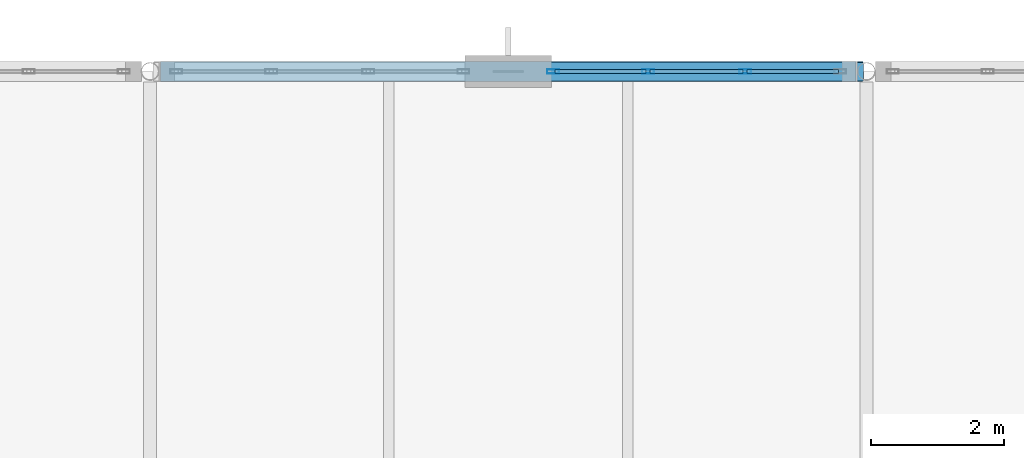
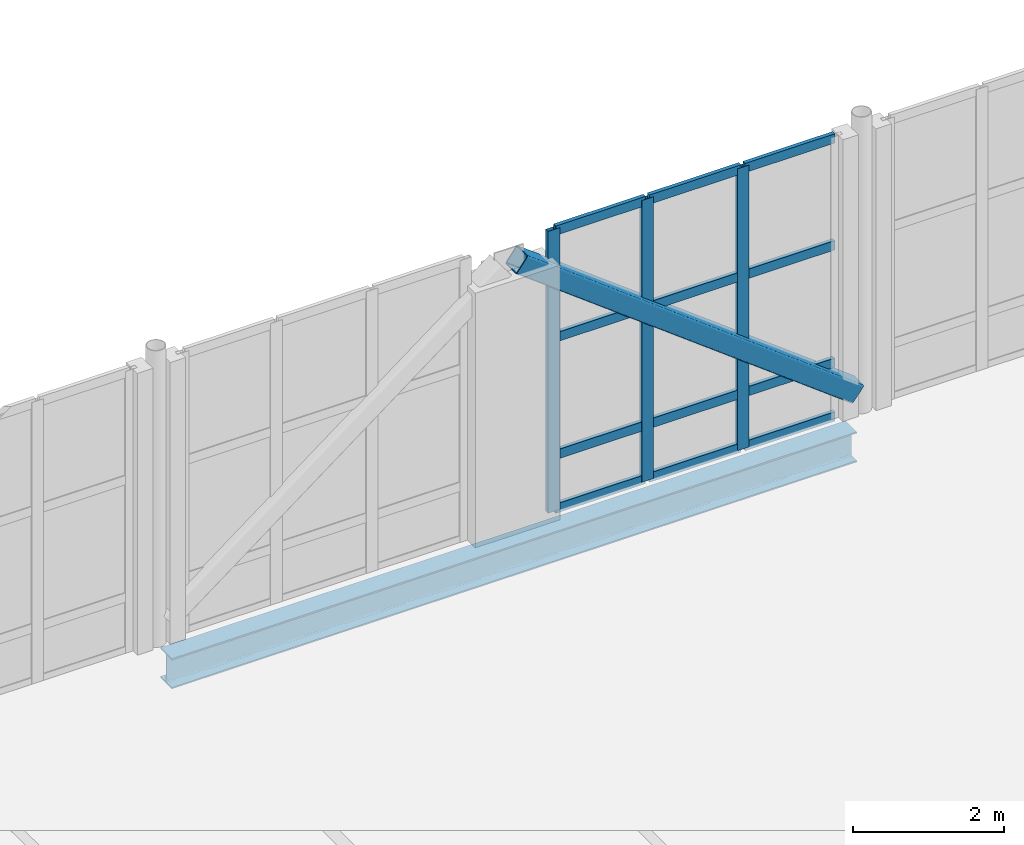
# One storey, part 45 of 100: 16 members, 1 beam, 1 element without a shape of its own.
"""IFC4 building model written with IfcOpenShell, lengths in metres."""

from ifc_helpers import new_model, si_unit, direction, frame, origin, origin_2d, place, context, subcontext, project, spatial, hollow_rectangle, i_section, extrude, material, layer, layer_set, material_profile, profile_set, type_object, element, aggregate, save


model = new_model("IFC4")

# Units and contexts
model_context = context("Model", 3, precision=1e-05, world=origin(), true_north=direction((0.0, 1.0)))
body_context = subcontext(model_context, "Body", "Model", "MODEL_VIEW")
ifc_project = project(units=[si_unit("LENGTHUNIT", "METRE"), si_unit("AREAUNIT", "SQUARE_METRE"), si_unit("VOLUMEUNIT", "CUBIC_METRE"), si_unit("PLANEANGLEUNIT", "RADIAN"), si_unit("MASSUNIT", "GRAM", prefix="KILO")], contexts=[model_context])

# Site, building, storey
site_placement = place(None, origin())
site = spatial("IfcSite", under=ifc_project, at=site_placement, CompositionType="ELEMENT")
building_placement = place(site_placement, origin())
building = spatial("IfcBuilding", under=site, at=building_placement, Name="Tasgan Crest Museum", CompositionType="ELEMENT")
storey_placement = place(building_placement, frame((0.0, 0.0, 9.60009765625)))
storey = spatial("IfcBuildingStorey", under=building, at=storey_placement, Name="L02", CompositionType="ELEMENT", Elevation=9.60009765625)

# Beam
ifc_material_1 = material(Name="Steel S355J2", Category="steel")
ifc_material_profile_1 = material_profile(ifc_material_1, i_section(OverallWidth=0.300048828125, OverallDepth=0.489990234375, WebThickness=0.011962890625, FlangeThickness=0.02294921875, FilletRadius=0.027099609375, at=origin_2d()), Name="HEA 500")
ifc_profile_set_1 = profile_set([ifc_material_profile_1], Name="Steel S355J2")
beam_type = type_object("IfcBeamType", Name="BM-G-HEA500", PredefinedType="BEAM", material=ifc_profile_set_1)
beam_placement = place(storey_placement, frame((21.758056640625, 112.0, -0.485107421875), z_axis=(1.0, 0.0, 0.0), x_axis=(0.0, 1.0, 0.0)))
element("IfcBeam", 1, at=beam_placement, inside=storey, type_object=beam_type, Name="Girder L02 M 21.6-32.4", PredefinedType="BEAM", context=body_context, shape_type="SweptSolid", body=[
    extrude(i_section(OverallWidth=0.300048828125, OverallDepth=0.489990234375, WebThickness=0.011962890625, FlangeThickness=0.02294921875, FilletRadius=0.027099609375, at=origin_2d()), origin(), (0.0, 0.0, 1.0), 10.48388671875),
])

# Curtain wall, members
ifc_material_2 = material(Name="Triple-Glazed Aluminium Curtain Wall", Category="aluminium")
ifc_layer = layer(ifc_material_2, 0.179931640625, Name="CW-GAL-X-48")
ifc_layer_set = layer_set([ifc_layer], Name="Triple-Glazed Aluminium Curtain Wall")
curtain_wall_type = type_object("IfcCurtainWallType", Name="CW-GAL-X-48", PredefinedType="NOTDEFINED", material=ifc_layer_set)
curtain_wall_placement = place(storey_placement, origin())
curtain_wall = element("IfcCurtainWall", 2, at=curtain_wall_placement, inside=storey, type_object=curtain_wall_type, Name="Curtain wall L02 089", PredefinedType="NOTDEFINED")
ifc_material_3 = material(Name="Anodised Aluminium", Category="aluminium")
ifc_material_profile_2 = material_profile(ifc_material_3, hollow_rectangle(XDim=0.06494140625, YDim=0.179931640625, WallThickness=0.0048828125, at=origin_2d()), Name="ALU MULLION 180x65x5")
ifc_profile_set_2 = profile_set([ifc_material_profile_2], Name="Anodised Aluminium")
member_type_1 = type_object("IfcMemberType", Name="CW-MULLION-180", PredefinedType="MULLION", material=ifc_profile_set_2)
member_1_placement = place(storey_placement, frame((30.57177734375, 112.0, 0.0), z_axis=(0.0, 0.0, 1.0), x_axis=(0.0, -1.0, 0.0)))
member_1 = element("IfcMember", 3, at=member_1_placement, type_object=member_type_1, Name="CW13 mullion 2", PredefinedType="MULLION", context=body_context, shape_type="SweptSolid", body=[
    extrude(hollow_rectangle(XDim=0.06494140625, YDim=0.179931640625, WallThickness=0.0048828125, at=origin_2d()), origin(), (0.0, 0.0, 1.0), 4.559814453125),
])
member_2_placement = place(storey_placement, frame((29.1083984375, 112.0, 0.0), z_axis=(0.0, 0.0, 1.0), x_axis=(0.0, -1.0, 0.0)))
member_2 = element("IfcMember", 4, at=member_2_placement, type_object=member_type_1, Name="CW13 mullion 3", PredefinedType="MULLION", context=body_context, shape_type="SweptSolid", body=[
    extrude(hollow_rectangle(XDim=0.06494140625, YDim=0.179931640625, WallThickness=0.0048828125, at=origin_2d()), origin(), (0.0, 0.0, 1.0), 4.559814453125),
])
member_3_placement = place(storey_placement, frame((27.675048828125, 112.0, 0.0), z_axis=(0.0, 0.0, 1.0), x_axis=(0.0, -1.0, 0.0)))
member_3 = element("IfcMember", 5, at=member_3_placement, type_object=member_type_1, Name="CW13 mullion 4", PredefinedType="MULLION", context=body_context, shape_type="SweptSolid", body=[
    extrude(hollow_rectangle(XDim=0.06494140625, YDim=0.179931640625, WallThickness=0.0048828125, at=origin_2d()), origin(), (0.0, 0.0, 1.0), 4.559814453125),
])
ifc_material_4 = material(Name="Anodised Aluminium", Category="aluminium")
ifc_material_profile_3 = material_profile(ifc_material_4, hollow_rectangle(XDim=0.06005859375, YDim=0.14990234375, WallThickness=0.0048828125, at=origin_2d()), Name="ALU TRANSOM 150x60x5")
ifc_profile_set_3 = profile_set([ifc_material_profile_3], Name="Anodised Aluminium")
member_type_2 = type_object("IfcMemberType", Name="CW-TRANSOM-150", PredefinedType="USERDEFINED", material=ifc_profile_set_3)
member_4_placement = place(storey_placement, frame((31.97509765625, 112.0, 0.02978515625), z_axis=(-1.0, 0.0, 0.0), x_axis=(0.0, -1.0, 0.0)))
member_4 = element("IfcMember", 6, at=member_4_placement, type_object=member_type_2, Name="CW13 transom 1.1", ObjectType="TRANSOM", PredefinedType="USERDEFINED", context=body_context, shape_type="SweptSolid", body=[
    extrude(hollow_rectangle(XDim=0.06005859375, YDim=0.14990234375, WallThickness=0.0048828125, at=origin_2d()), origin(), (0.0, 0.0, 1.0), 1.37353515625),
])
member_5_placement = place(storey_placement, frame((31.97509765625, 112.0, 0.89990234375), z_axis=(-1.0, 0.0, 0.0), x_axis=(0.0, -1.0, 0.0)))
member_5 = element("IfcMember", 7, at=member_5_placement, type_object=member_type_2, Name="CW13 transom 1.2", ObjectType="TRANSOM", PredefinedType="USERDEFINED", context=body_context, shape_type="SweptSolid", body=[
    extrude(hollow_rectangle(XDim=0.06005859375, YDim=0.14990234375, WallThickness=0.0048828125, at=origin_2d()), origin(), (0.0, 0.0, 1.0), 1.37353515625),
])
member_6_placement = place(storey_placement, frame((31.97509765625, 112.0, 2.7998046875), z_axis=(-1.0, 0.0, 0.0), x_axis=(0.0, -1.0, 0.0)))
member_6 = element("IfcMember", 8, at=member_6_placement, type_object=member_type_2, Name="CW13 transom 1.3", ObjectType="TRANSOM", PredefinedType="USERDEFINED", context=body_context, shape_type="SweptSolid", body=[
    extrude(hollow_rectangle(XDim=0.06005859375, YDim=0.14990234375, WallThickness=0.0048828125, at=origin_2d()), origin(), (0.0, 0.0, 1.0), 1.37353515625),
])
member_7_placement = place(storey_placement, frame((31.97509765625, 112.0, 4.52978515625), z_axis=(-1.0, 0.0, 0.0), x_axis=(0.0, -1.0, 0.0)))
member_7 = element("IfcMember", 9, at=member_7_placement, type_object=member_type_2, Name="CW13 transom 1.4", ObjectType="TRANSOM", PredefinedType="USERDEFINED", context=body_context, shape_type="SweptSolid", body=[
    extrude(hollow_rectangle(XDim=0.06005859375, YDim=0.14990234375, WallThickness=0.0048828125, at=origin_2d()), origin(), (0.0, 0.0, 1.0), 1.37353515625),
])
member_8_placement = place(storey_placement, frame((30.541748046875, 112.0, 0.02978515625), z_axis=(-1.0, 0.0, 0.0), x_axis=(0.0, -1.0, 0.0)))
member_8 = element("IfcMember", 10, at=member_8_placement, type_object=member_type_2, Name="CW13 transom 2.1", ObjectType="TRANSOM", PredefinedType="USERDEFINED", context=body_context, shape_type="SweptSolid", body=[
    extrude(hollow_rectangle(XDim=0.06005859375, YDim=0.14990234375, WallThickness=0.0048828125, at=origin_2d()), origin(), (0.0, 0.0, 1.0), 1.4033203125),
])
member_9_placement = place(storey_placement, frame((30.541748046875, 112.0, 0.89990234375), z_axis=(-1.0, 0.0, 0.0), x_axis=(0.0, -1.0, 0.0)))
member_9 = element("IfcMember", 11, at=member_9_placement, type_object=member_type_2, Name="CW13 transom 2.2", ObjectType="TRANSOM", PredefinedType="USERDEFINED", context=body_context, shape_type="SweptSolid", body=[
    extrude(hollow_rectangle(XDim=0.06005859375, YDim=0.14990234375, WallThickness=0.0048828125, at=origin_2d()), origin(), (0.0, 0.0, 1.0), 1.4033203125),
])
member_10_placement = place(storey_placement, frame((30.541748046875, 112.0, 2.7998046875), z_axis=(-1.0, 0.0, 0.0), x_axis=(0.0, -1.0, 0.0)))
member_10 = element("IfcMember", 12, at=member_10_placement, type_object=member_type_2, Name="CW13 transom 2.3", ObjectType="TRANSOM", PredefinedType="USERDEFINED", context=body_context, shape_type="SweptSolid", body=[
    extrude(hollow_rectangle(XDim=0.06005859375, YDim=0.14990234375, WallThickness=0.0048828125, at=origin_2d()), origin(), (0.0, 0.0, 1.0), 1.4033203125),
])
member_11_placement = place(storey_placement, frame((30.541748046875, 112.0, 4.52978515625), z_axis=(-1.0, 0.0, 0.0), x_axis=(0.0, -1.0, 0.0)))
member_11 = element("IfcMember", 13, at=member_11_placement, type_object=member_type_2, Name="CW13 transom 2.4", ObjectType="TRANSOM", PredefinedType="USERDEFINED", context=body_context, shape_type="SweptSolid", body=[
    extrude(hollow_rectangle(XDim=0.06005859375, YDim=0.14990234375, WallThickness=0.0048828125, at=origin_2d()), origin(), (0.0, 0.0, 1.0), 1.4033203125),
])
member_12_placement = place(storey_placement, frame((29.078369140625, 112.0, 0.02978515625), z_axis=(-1.0, 0.0, 0.0), x_axis=(0.0, -1.0, 0.0)))
member_12 = element("IfcMember", 14, at=member_12_placement, type_object=member_type_2, Name="CW13 transom 3.1", ObjectType="TRANSOM", PredefinedType="USERDEFINED", context=body_context, shape_type="SweptSolid", body=[
    extrude(hollow_rectangle(XDim=0.06005859375, YDim=0.14990234375, WallThickness=0.0048828125, at=origin_2d()), origin(), (0.0, 0.0, 1.0), 1.373291015625),
])
member_13_placement = place(storey_placement, frame((29.078369140625, 112.0, 0.89990234375), z_axis=(-1.0, 0.0, 0.0), x_axis=(0.0, -1.0, 0.0)))
member_13 = element("IfcMember", 15, at=member_13_placement, type_object=member_type_2, Name="CW13 transom 3.2", ObjectType="TRANSOM", PredefinedType="USERDEFINED", context=body_context, shape_type="SweptSolid", body=[
    extrude(hollow_rectangle(XDim=0.06005859375, YDim=0.14990234375, WallThickness=0.0048828125, at=origin_2d()), origin(), (0.0, 0.0, 1.0), 1.373291015625),
])
member_14_placement = place(storey_placement, frame((29.078369140625, 112.0, 2.7998046875), z_axis=(-1.0, 0.0, 0.0), x_axis=(0.0, -1.0, 0.0)))
member_14 = element("IfcMember", 16, at=member_14_placement, type_object=member_type_2, Name="CW13 transom 3.3", ObjectType="TRANSOM", PredefinedType="USERDEFINED", context=body_context, shape_type="SweptSolid", body=[
    extrude(hollow_rectangle(XDim=0.06005859375, YDim=0.14990234375, WallThickness=0.0048828125, at=origin_2d()), origin(), (0.0, 0.0, 1.0), 1.373291015625),
])
member_15_placement = place(storey_placement, frame((29.078369140625, 112.0, 4.52978515625), z_axis=(-1.0, 0.0, 0.0), x_axis=(0.0, -1.0, 0.0)))
member_15 = element("IfcMember", 17, at=member_15_placement, type_object=member_type_2, Name="CW13 transom 3.4", ObjectType="TRANSOM", PredefinedType="USERDEFINED", context=body_context, shape_type="SweptSolid", body=[
    extrude(hollow_rectangle(XDim=0.06005859375, YDim=0.14990234375, WallThickness=0.0048828125, at=origin_2d()), origin(), (0.0, 0.0, 1.0), 1.373291015625),
])
aggregate(curtain_wall, [member_1, member_2, member_3, member_4, member_5, member_6, member_7, member_8, member_9, member_10, member_11, member_12, member_13, member_14, member_15])

# Member
ifc_material_5 = material(Name="Steel S355K2", Category="steel")
ifc_material_profile_4 = material_profile(ifc_material_5, hollow_rectangle(XDim=0.300048828125, YDim=0.300048828125, WallThickness=0.01611328125, InnerFilletRadius=0.01611328125, OuterFilletRadius=0.031982421875, at=origin_2d()), Name="SHS 300x300x16")
ifc_profile_set_4 = profile_set([ifc_material_profile_4], Name="Steel S355K2")
member_type_3 = type_object("IfcMemberType", Name="MEM-BR-SHS300", PredefinedType="BRACE", material=ifc_profile_set_4)
member_16_placement = place(storey_placement, frame((32.263427734375, 112.0, 0.349853515625), z_axis=(-0.796816226628, 0.0, 0.604221731637), x_axis=(0.0, -1.0, 0.0)))
element("IfcMember", 18, at=member_16_placement, inside=storey, type_object=member_type_3, Name="Chevron brace R L02 M 32.4", PredefinedType="BRACE", context=body_context, shape_type="SweptSolid", body=[
    extrude(hollow_rectangle(XDim=0.300048828125, YDim=0.300048828125, WallThickness=0.01611328125, InnerFilletRadius=0.01611328125, OuterFilletRadius=0.031982421875, at=origin_2d()), origin(), (0.0, 0.0, 1.0), 6.454833984375),
])

save(model, "model.ifc")
